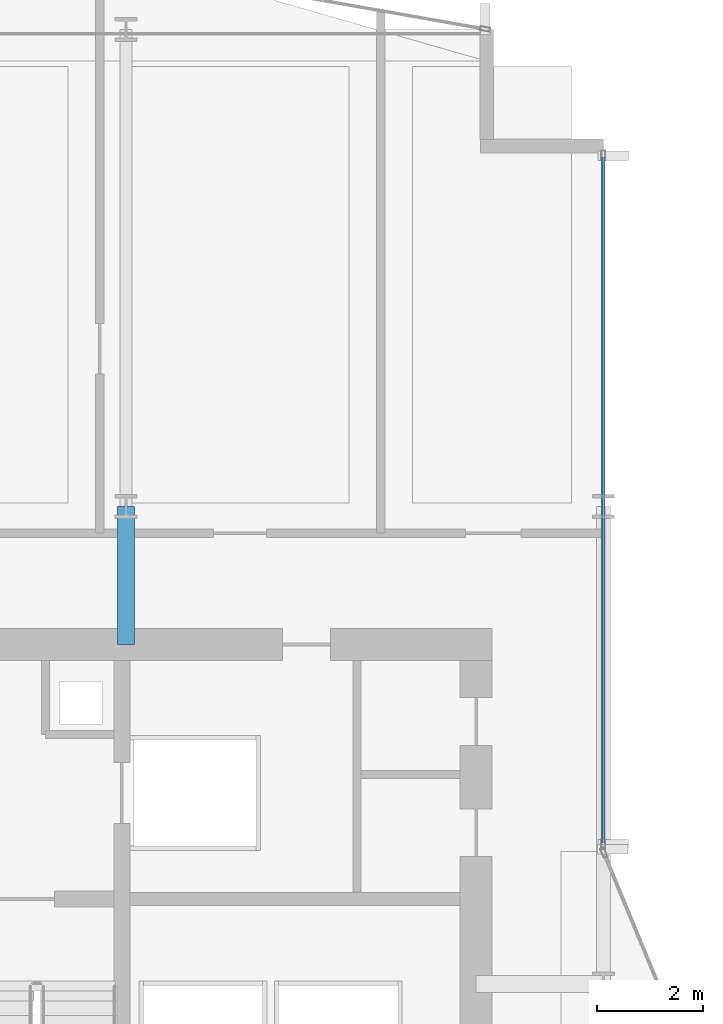
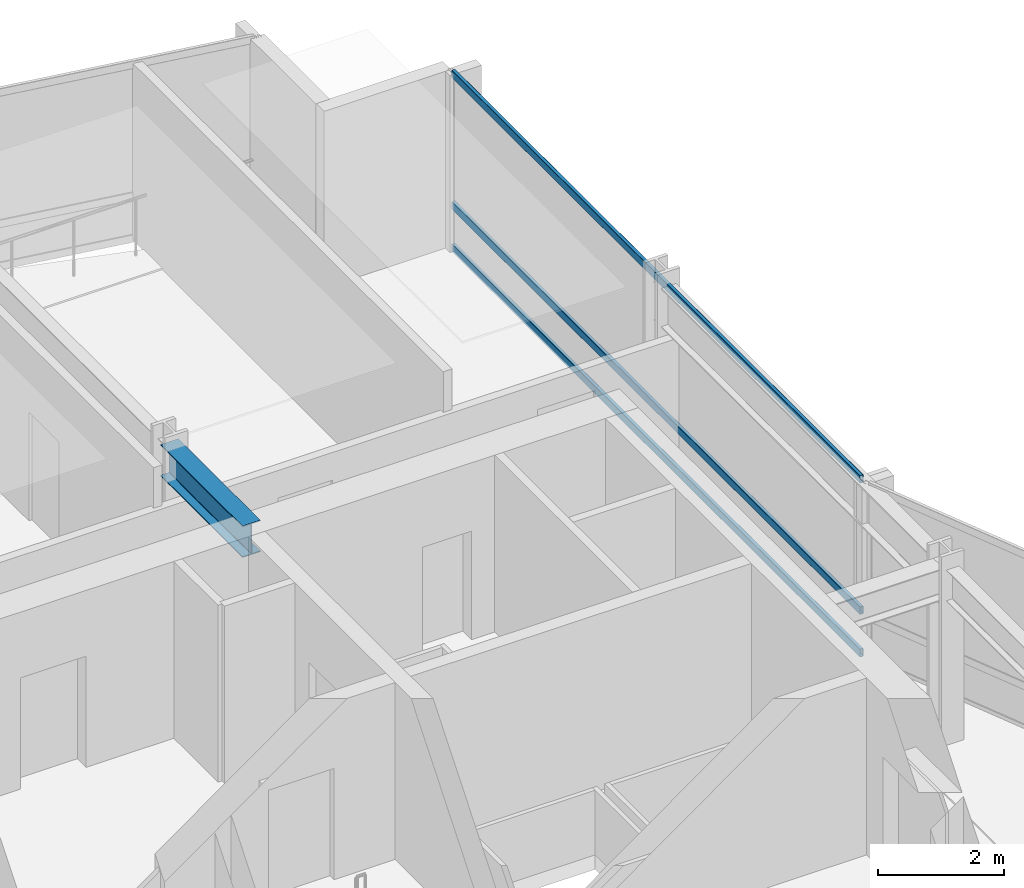
# One storey, part 18 of 29: 3 members, 1 beam, 1 element without a shape of its own.
"""IFC4 building model written with IfcOpenShell, lengths in metres."""

from ifc_helpers import new_model, si_unit, direction, frame, origin, origin_2d, place, context, subcontext, project, spatial, hollow_rectangle, i_section, extrude, material, layer, layer_set, material_profile, profile_set, type_object, element, aggregate, save


model = new_model("IFC4")

# Units and contexts
model_context = context("Model", 3, precision=1e-05, world=origin(), true_north=direction((0.0, 1.0)))
body_context = subcontext(model_context, "Body", "Model", "MODEL_VIEW")
ifc_project = project(units=[si_unit("LENGTHUNIT", "METRE"), si_unit("AREAUNIT", "SQUARE_METRE"), si_unit("VOLUMEUNIT", "CUBIC_METRE"), si_unit("PLANEANGLEUNIT", "RADIAN"), si_unit("MASSUNIT", "GRAM", prefix="KILO")], contexts=[model_context])

# Site, building, storey
site_placement = place(None, origin())
site = spatial("IfcSite", under=ifc_project, at=site_placement, CompositionType="ELEMENT")
building_placement = place(site_placement, origin())
building = spatial("IfcBuilding", under=site, at=building_placement, Name="Solvaryn Broadcast Tower", CompositionType="ELEMENT")
storey_placement = place(building_placement, frame((0.0, 0.0, 113.699951171875)))
storey = spatial("IfcBuildingStorey", under=building, at=storey_placement, Name="L27", CompositionType="ELEMENT", Elevation=113.699951171875)

# Beam
ifc_material_1 = material(Name="Steel ASTM A992 Grade 50", Category="steel")
ifc_material_profile_1 = material_profile(ifc_material_1, i_section(OverallWidth=0.323974609375, OverallDepth=0.611083984375, WebThickness=0.0126953125, FlangeThickness=0.01904296875, FilletRadius=0.014892578125, at=origin_2d()))
ifc_profile_set_1 = profile_set([ifc_material_profile_1], Name="Steel ASTM A992 Grade 50")
beam_type = type_object("IfcBeamType", Name="BM-B1-W24X104", PredefinedType="BEAM", material=ifc_profile_set_1)
beam_placement = place(storey_placement, frame((18.0, 42.39990234375, 3.114501953125), z_axis=(0.0, 1.0, 0.0), x_axis=(-1.0, 0.0, 0.0)))
element("IfcBeam", 1, at=beam_placement, inside=storey, type_object=beam_type, Name="L27 Core Tie Beam CTW3", PredefinedType="BEAM", context=body_context, shape_type="SweptSolid", body=[
    extrude(i_section(OverallWidth=0.323974609375, OverallDepth=0.611083984375, WebThickness=0.0126953125, FlangeThickness=0.01904296875, FilletRadius=0.014892578125, at=origin_2d()), origin(), (0.0, 0.0, 1.0), 2.60009765625),
])

# Curtain wall, members
ifc_material_2 = material(Name="Aluminium and Terracotta Unitised Curtain Wall", Category="masonry")
ifc_layer = layer(ifc_material_2, 0.199951171875)
ifc_layer_set = layer_set([ifc_layer], Name="CW-SYS2-LOWMID")
curtain_wall_type = type_object("IfcCurtainWallType", Name="CW-SYS2-LOWMID", PredefinedType="NOTDEFINED", material=ifc_layer_set)
curtain_wall_placement = place(storey_placement, origin())
curtain_wall = element("IfcCurtainWall", 2, at=curtain_wall_placement, inside=storey, type_object=curtain_wall_type, Name="L27 Curtain Wall IV", PredefinedType="NOTDEFINED")
ifc_material_3 = material(Name="Anodised Aluminium 6063-T6", Category="aluminium")
ifc_material_profile_2 = material_profile(ifc_material_3, hollow_rectangle(XDim=0.06494140625, YDim=0.14990234375, WallThickness=0.00390625, InnerFilletRadius=0.00390625, OuterFilletRadius=0.008056640625, at=origin_2d()))
ifc_profile_set_2 = profile_set([ifc_material_profile_2], Name="Anodised Aluminium 6063-T6")
member_type = type_object("IfcMemberType", Name="CW-TRN-150", PredefinedType="USERDEFINED", material=ifc_profile_set_2)
member_1_placement = place(storey_placement, frame((27.0, 51.590087890625, 0.030029296875), z_axis=(0.0, -1.0, 0.0), x_axis=(1.0, 0.0, 0.0)))
member_1 = element("IfcMember", 3, at=member_1_placement, type_object=member_type, Name="CWS2 transom 1.1", ObjectType="TRANSOM", PredefinedType="USERDEFINED", context=body_context, shape_type="SweptSolid", body=[
    extrude(hollow_rectangle(XDim=0.06494140625, YDim=0.14990234375, WallThickness=0.00390625, InnerFilletRadius=0.00390625, OuterFilletRadius=0.008056640625, at=origin_2d()), origin(), (0.0, 0.0, 1.0), 12.93017578125),
])
member_2_placement = place(storey_placement, frame((27.0, 51.590087890625, 0.85009765625), z_axis=(0.0, -1.0, 0.0), x_axis=(1.0, 0.0, 0.0)))
member_2 = element("IfcMember", 4, at=member_2_placement, type_object=member_type, Name="CWS2 transom 1.2", ObjectType="TRANSOM", PredefinedType="USERDEFINED", context=body_context, shape_type="SweptSolid", body=[
    extrude(hollow_rectangle(XDim=0.06494140625, YDim=0.14990234375, WallThickness=0.00390625, InnerFilletRadius=0.00390625, OuterFilletRadius=0.008056640625, at=origin_2d()), origin(), (0.0, 0.0, 1.0), 12.93017578125),
])
member_3_placement = place(storey_placement, frame((27.0, 51.590087890625, 3.39013671875), z_axis=(0.0, -1.0, 0.0), x_axis=(1.0, 0.0, 0.0)))
member_3 = element("IfcMember", 5, at=member_3_placement, type_object=member_type, Name="CWS2 transom 1.3", ObjectType="TRANSOM", PredefinedType="USERDEFINED", context=body_context, shape_type="SweptSolid", body=[
    extrude(hollow_rectangle(XDim=0.06494140625, YDim=0.14990234375, WallThickness=0.00390625, InnerFilletRadius=0.00390625, OuterFilletRadius=0.008056640625, at=origin_2d()), origin(), (0.0, 0.0, 1.0), 12.93017578125),
])
aggregate(curtain_wall, [member_1, member_2, member_3])

save(model, "model.ifc")
